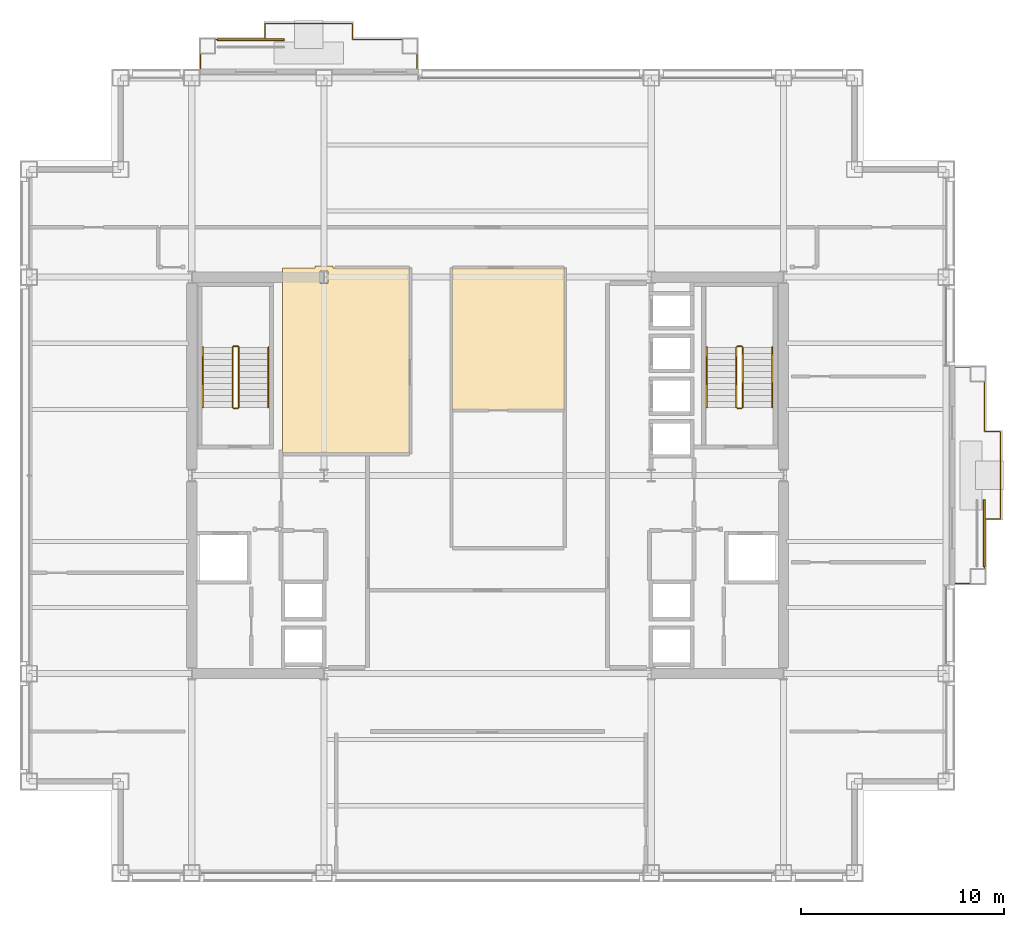
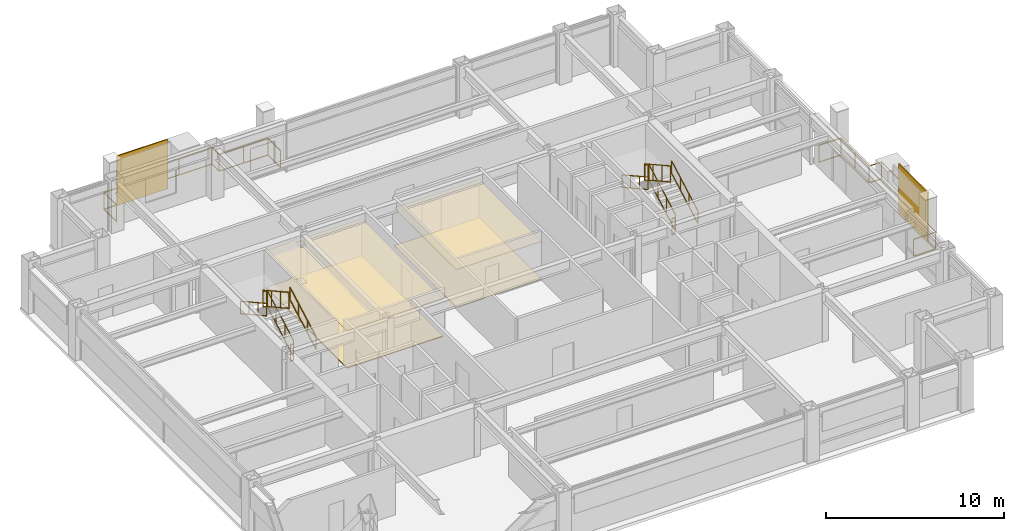
# One storey, part 28 of 29: 14 railings, 4 coverings, 2 shading devices.
"""IFC4 building model written with IfcOpenShell, lengths in metres."""

from ifc_helpers import new_model, si_unit, direction, frame, origin, origin_2d, place, context, subcontext, project, spatial, polyline, rectangle, outline, extrude, material, layer, layer_set, type_object, element, save


model = new_model("IFC4")

# Units and contexts
model_context = context("Model", 3, precision=1e-05, world=origin(), true_north=direction((0.0, 1.0)))
body_context = subcontext(model_context, "Body", "Model", "MODEL_VIEW")
ifc_project = project(units=[si_unit("LENGTHUNIT", "METRE"), si_unit("AREAUNIT", "SQUARE_METRE"), si_unit("VOLUMEUNIT", "CUBIC_METRE"), si_unit("PLANEANGLEUNIT", "RADIAN"), si_unit("MASSUNIT", "GRAM", prefix="KILO")], contexts=[model_context])

# Site, building, storey
site_placement = place(None, origin())
site = spatial("IfcSite", under=ifc_project, at=site_placement, CompositionType="ELEMENT")
building_placement = place(site_placement, origin())
building = spatial("IfcBuilding", under=site, at=building_placement, Name="Brelmoor Portico Tower", CompositionType="ELEMENT")
storey_placement = place(building_placement, frame((0.0, 0.0, 124.199951171875)))
storey = spatial("IfcBuildingStorey", under=building, at=storey_placement, Name="L32", CompositionType="ELEMENT", Elevation=124.199951171875)

# Coverings
ifc_material_1 = material(Name="Powder-Coated Aluminium Acoustic Baffle Ceiling", Category="aluminium")
ifc_layer_1 = layer(ifc_material_1, 0.044921875)
ifc_layer_set_1 = layer_set([ifc_layer_1], Name="Powder-Coated Aluminium Acoustic Baffle Ceiling")
covering_type_1 = type_object("IfcCoveringType", Name="CV-CEIL-BAFFLE-45", PredefinedType="CEILING", material=ifc_layer_set_1)
covering_1_placement = place(storey_placement, frame((0.0, 0.0, 2.550048828125)))
element("IfcCovering", 1, at=covering_1_placement, inside=storey, type_object=covering_type_1, Name="L32 Acoustic Suspended Ceiling 01", PredefinedType="CEILING", context=body_context, shape_type="SweptSolid", body=[
    extrude(outline(polyline([(-10.080078125, 10.2099609375), (-8.5, 10.2099609375), (-8.5, 10.300048828125), (-7.60009765625, 10.300048828125), (-7.60009765625, 10.2099609375), (-3.840087890625, 10.2099609375), (-3.840087890625, 1.090087890625), (-10.080078125, 1.090087890625), (-10.080078125, 10.2099609375)]), holes=[polyline([(-7.85009765625, 9.449951171875), (-7.85009765625, 10.050048828125), (-8.25, 10.050048828125), (-8.25, 9.449951171875), (-7.85009765625, 9.449951171875)])]), origin(), (0.0, 0.0, 1.0), 0.044921875),
])
ifc_material_2 = material(Name="Slatted FSC Oak Acoustic Feature Ceiling", Category="timber")
ifc_layer_2 = layer(ifc_material_2, 0.052001953125)
ifc_layer_set_2 = layer_set([ifc_layer_2], Name="Slatted FSC Oak Acoustic Feature Ceiling")
covering_type_2 = type_object("IfcCoveringType", Name="CV-CEIL-TIMBER-52", PredefinedType="CEILING", material=ifc_layer_set_2)
covering_2_placement = place(storey_placement, frame((0.0, 0.0, 2.550048828125)))
element("IfcCovering", 2, at=covering_2_placement, inside=storey, type_object=covering_type_2, Name="L32 Acoustic Suspended Ceiling 02", PredefinedType="CEILING", context=body_context, shape_type="SweptSolid", body=[
    extrude(outline(polyline([(-1.760009765625, 3.219970703125), (-1.760009765625, 10.2099609375), (3.780029296875, 10.2099609375), (3.780029296875, 3.219970703125), (-1.760009765625, 3.219970703125)])), origin(), (0.0, 0.0, 1.0), 0.052001953125),
])
ifc_material_3 = material(Name="Calcium-Sulphate Raised Access Floor Panel", Category="steel")
ifc_layer_3 = layer(ifc_material_3, 0.06005859375)
ifc_layer_set_3 = layer_set([ifc_layer_3], Name="Calcium-Sulphate Raised Access Floor Panel")
covering_type_3 = type_object("IfcCoveringType", Name="CV-FLR-ACCESS-60", PredefinedType="FLOORING", material=ifc_layer_set_3)
covering_3_placement = place(storey_placement, origin())
element("IfcCovering", 3, at=covering_3_placement, inside=storey, type_object=covering_type_3, Name="L32 Architectural Floor Finish 01", PredefinedType="FLOORING", context=body_context, shape_type="SweptSolid", body=[
    extrude(outline(polyline([(-10.080078125, 10.2099609375), (-8.5, 10.2099609375), (-8.5, 10.300048828125), (-7.60009765625, 10.300048828125), (-7.60009765625, 10.2099609375), (-3.840087890625, 10.2099609375), (-3.840087890625, 1.090087890625), (-10.080078125, 1.090087890625), (-10.080078125, 10.2099609375)]), holes=[polyline([(-7.85009765625, 9.449951171875), (-7.85009765625, 10.050048828125), (-8.25, 10.050048828125), (-8.25, 9.449951171875), (-7.85009765625, 9.449951171875)])]), origin(), (0.0, 0.0, 1.0), 0.06005859375),
])
ifc_material_4 = material(Name="Solution-Dyed Nylon Acoustic Carpet Tile", Category="textile")
ifc_layer_4 = layer(ifc_material_4, 0.013916015625)
ifc_layer_set_4 = layer_set([ifc_layer_4], Name="Solution-Dyed Nylon Acoustic Carpet Tile")
covering_type_4 = type_object("IfcCoveringType", Name="CV-FLR-CARPET-14", PredefinedType="FLOORING", material=ifc_layer_set_4)
covering_4_placement = place(storey_placement, origin())
element("IfcCovering", 4, at=covering_4_placement, inside=storey, type_object=covering_type_4, Name="L32 Architectural Floor Finish 02", PredefinedType="FLOORING", context=body_context, shape_type="SweptSolid", body=[
    extrude(outline(polyline([(-1.760009765625, 3.219970703125), (-1.760009765625, 10.2099609375), (3.780029296875, 10.2099609375), (3.780029296875, 3.219970703125), (-1.760009765625, 3.219970703125)])), origin(), (0.0, 0.0, 1.0), 0.01416015625),
])

# Railings
ifc_material_5 = material(Name="Perforated Pale Champagne Aluminium Fretwork Guard", Category="aluminium")
railing_type_1 = type_object("IfcRailingType", Name="RL-BALUSTRADE-1200", PredefinedType="BALUSTRADE", material=ifc_material_5)
railing_1_placement = place(storey_placement, frame((-14.1201171875, 20.0, 0.0)))
element("IfcRailing", 5, at=railing_1_placement, inside=storey, type_object=railing_type_1, Name="L32 Tree Balcony Fretwork Balustrade N", PredefinedType="BALUSTRADE", context=body_context, shape_type="SweptSolid", body=[
    extrude(rectangle(XDim=0.048095703125, YDim=0.048095703125, at=origin_2d()), frame((0.0, 0.0, 1.17578125), z_axis=(0.0, 1.0, 0.0), x_axis=(-1.0, 0.0, 0.0)), (0.0, 0.0, 1.0), 1.429931640625),
    extrude(rectangle(XDim=0.048095703125, YDim=0.048095703125, at=origin_2d()), frame((0.0, 0.0, 0.02392578125), z_axis=(0.0, 1.0, 0.0), x_axis=(-1.0, 0.0, 0.0)), (0.0, 0.0, 1.0), 1.429931640625),
    extrude(rectangle(XDim=0.048095703125, YDim=0.048095703125, at=origin_2d()), frame((0.0, 1.429931640625, 1.17578125), z_axis=(1.0, 0.0, 0.0), x_axis=(0.0, 1.0, 0.0)), (0.0, 0.0, 1.0), 3.170166015625),
    extrude(rectangle(XDim=0.048095703125, YDim=0.048095703125, at=origin_2d()), frame((0.0, 1.429931640625, 0.02392578125), z_axis=(1.0, 0.0, 0.0), x_axis=(0.0, 1.0, 0.0)), (0.0, 0.0, 1.0), 3.170166015625),
    extrude(rectangle(XDim=0.048095703125, YDim=0.048095703125, at=origin_2d()), frame((3.170166015625, 1.429931640625, 1.17578125), z_axis=(0.0, 1.0, 0.0), x_axis=(-1.0, 0.0, 0.0)), (0.0, 0.0, 1.0), 0.800048828125),
    extrude(rectangle(XDim=0.048095703125, YDim=0.048095703125, at=origin_2d()), frame((3.170166015625, 1.429931640625, 0.02392578125), z_axis=(0.0, 1.0, 0.0), x_axis=(-1.0, 0.0, 0.0)), (0.0, 0.0, 1.0), 0.800048828125),
    extrude(rectangle(XDim=0.048095703125, YDim=0.048095703125, at=origin_2d()), frame((3.170166015625, 2.22998046875, 1.17578125), z_axis=(1.0, 0.0, 0.0), x_axis=(0.0, 1.0, 0.0)), (0.0, 0.0, 1.0), 4.300048828125),
    extrude(rectangle(XDim=0.048095703125, YDim=0.048095703125, at=origin_2d()), frame((3.170166015625, 2.22998046875, 0.02392578125), z_axis=(1.0, 0.0, 0.0), x_axis=(0.0, 1.0, 0.0)), (0.0, 0.0, 1.0), 4.300048828125),
    extrude(rectangle(XDim=0.048095703125, YDim=0.048095703125, at=origin_2d()), frame((7.47021484375, 2.22998046875, 1.17578125), z_axis=(0.0, -1.0, 0.0), x_axis=(1.0, 0.0, 0.0)), (0.0, 0.0, 1.0), 0.800048828125),
    extrude(rectangle(XDim=0.048095703125, YDim=0.048095703125, at=origin_2d()), frame((7.47021484375, 2.22998046875, 0.02392578125), z_axis=(0.0, -1.0, 0.0), x_axis=(1.0, 0.0, 0.0)), (0.0, 0.0, 1.0), 0.800048828125),
    extrude(rectangle(XDim=0.048095703125, YDim=0.048095703125, at=origin_2d()), frame((7.47021484375, 1.429931640625, 1.17578125), z_axis=(1.0, 0.0, 0.0), x_axis=(0.0, 1.0, 0.0)), (0.0, 0.0, 1.0), 3.169921875),
    extrude(rectangle(XDim=0.048095703125, YDim=0.048095703125, at=origin_2d()), frame((7.47021484375, 1.429931640625, 0.02392578125), z_axis=(1.0, 0.0, 0.0), x_axis=(0.0, 1.0, 0.0)), (0.0, 0.0, 1.0), 3.169921875),
    extrude(rectangle(XDim=0.048095703125, YDim=0.048095703125, at=origin_2d()), frame((10.64013671875, 1.429931640625, 1.17578125), z_axis=(0.0, -1.0, 0.0), x_axis=(1.0, 0.0, 0.0)), (0.0, 0.0, 1.0), 1.429931640625),
    extrude(rectangle(XDim=0.048095703125, YDim=0.048095703125, at=origin_2d()), frame((10.64013671875, 1.429931640625, 0.02392578125), z_axis=(0.0, -1.0, 0.0), x_axis=(1.0, 0.0, 0.0)), (0.0, 0.0, 1.0), 1.429931640625),
    extrude(rectangle(XDim=0.0419921875, YDim=0.0419921875, at=origin_2d()), origin(), (0.0, 0.0, 1.0), 1.15185546875),
    extrude(rectangle(XDim=0.0419921875, YDim=0.0419921875, at=origin_2d()), frame((0.0, 1.429931640625, 0.0)), (0.0, 0.0, 1.0), 1.15185546875),
    extrude(rectangle(XDim=0.0419921875, YDim=0.0419921875, at=origin_2d()), frame((1.5849609375, 1.429931640625, 0.0)), (0.0, 0.0, 1.0), 1.15185546875),
    extrude(rectangle(XDim=0.0419921875, YDim=0.0419921875, at=origin_2d()), frame((3.170166015625, 1.429931640625, 0.0)), (0.0, 0.0, 1.0), 1.15185546875),
    extrude(rectangle(XDim=0.0419921875, YDim=0.0419921875, at=origin_2d()), frame((3.170166015625, 2.22998046875, 0.0)), (0.0, 0.0, 1.0), 1.15185546875),
    extrude(rectangle(XDim=0.0419921875, YDim=0.0419921875, at=origin_2d()), frame((5.3203125, 2.22998046875, 0.0)), (0.0, 0.0, 1.0), 1.15185546875),
    extrude(rectangle(XDim=0.0419921875, YDim=0.0419921875, at=origin_2d()), frame((7.47021484375, 2.22998046875, 0.0)), (0.0, 0.0, 1.0), 1.15185546875),
    extrude(rectangle(XDim=0.0419921875, YDim=0.0419921875, at=origin_2d()), frame((7.47021484375, 1.429931640625, 0.0)), (0.0, 0.0, 1.0), 1.15185546875),
    extrude(rectangle(XDim=0.0419921875, YDim=0.0419921875, at=origin_2d()), frame((9.05517578125, 1.429931640625, 0.0)), (0.0, 0.0, 1.0), 1.15185546875),
    extrude(rectangle(XDim=0.0419921875, YDim=0.0419921875, at=origin_2d()), frame((10.64013671875, 1.429931640625, 0.0)), (0.0, 0.0, 1.0), 1.15185546875),
    extrude(rectangle(XDim=0.0419921875, YDim=0.0419921875, at=origin_2d()), frame((10.64013671875, 0.0, 0.0)), (0.0, 0.0, 1.0), 1.15185546875),
])
railing_2_placement = place(storey_placement, frame((23.0, -5.320068359375, 0.0)))
element("IfcRailing", 6, at=railing_2_placement, inside=storey, type_object=railing_type_1, Name="L32 Tree Balcony Fretwork Balustrade E", PredefinedType="BALUSTRADE", context=body_context, shape_type="SweptSolid", body=[
    extrude(rectangle(XDim=0.048095703125, YDim=0.048095703125, at=origin_2d()), frame((0.0, 0.0, 1.17578125), z_axis=(1.0, 0.0, 0.0), x_axis=(0.0, 1.0, 0.0)), (0.0, 0.0, 1.0), 1.429931640625),
    extrude(rectangle(XDim=0.048095703125, YDim=0.048095703125, at=origin_2d()), frame((0.0, 0.0, 0.02392578125), z_axis=(1.0, 0.0, 0.0), x_axis=(0.0, 1.0, 0.0)), (0.0, 0.0, 1.0), 1.429931640625),
    extrude(rectangle(XDim=0.048095703125, YDim=0.048095703125, at=origin_2d()), frame((1.429931640625, 0.0, 1.17578125), z_axis=(0.0, 1.0, 0.0), x_axis=(-1.0, 0.0, 0.0)), (0.0, 0.0, 1.0), 3.170166015625),
    extrude(rectangle(XDim=0.048095703125, YDim=0.048095703125, at=origin_2d()), frame((1.429931640625, 0.0, 0.02392578125), z_axis=(0.0, 1.0, 0.0), x_axis=(-1.0, 0.0, 0.0)), (0.0, 0.0, 1.0), 3.170166015625),
    extrude(rectangle(XDim=0.048095703125, YDim=0.048095703125, at=origin_2d()), frame((1.429931640625, 3.170166015625, 1.17578125), z_axis=(1.0, 0.0, 0.0), x_axis=(0.0, 1.0, 0.0)), (0.0, 0.0, 1.0), 0.800048828125),
    extrude(rectangle(XDim=0.048095703125, YDim=0.048095703125, at=origin_2d()), frame((1.429931640625, 3.170166015625, 0.02392578125), z_axis=(1.0, 0.0, 0.0), x_axis=(0.0, 1.0, 0.0)), (0.0, 0.0, 1.0), 0.800048828125),
    extrude(rectangle(XDim=0.048095703125, YDim=0.048095703125, at=origin_2d()), frame((2.22998046875, 3.170166015625, 1.17578125), z_axis=(0.0, 1.0, 0.0), x_axis=(-1.0, 0.0, 0.0)), (0.0, 0.0, 1.0), 4.2998046875),
    extrude(rectangle(XDim=0.048095703125, YDim=0.048095703125, at=origin_2d()), frame((2.22998046875, 3.170166015625, 0.02392578125), z_axis=(0.0, 1.0, 0.0), x_axis=(-1.0, 0.0, 0.0)), (0.0, 0.0, 1.0), 4.2998046875),
    extrude(rectangle(XDim=0.048095703125, YDim=0.048095703125, at=origin_2d()), frame((2.22998046875, 7.469970703125, 1.17578125), z_axis=(-1.0, 0.0, 0.0), x_axis=(0.0, -1.0, 0.0)), (0.0, 0.0, 1.0), 0.800048828125),
    extrude(rectangle(XDim=0.048095703125, YDim=0.048095703125, at=origin_2d()), frame((2.22998046875, 7.469970703125, 0.02392578125), z_axis=(-1.0, 0.0, 0.0), x_axis=(0.0, -1.0, 0.0)), (0.0, 0.0, 1.0), 0.800048828125),
    extrude(rectangle(XDim=0.048095703125, YDim=0.048095703125, at=origin_2d()), frame((1.429931640625, 7.469970703125, 1.17578125), z_axis=(0.0, 1.0, 0.0), x_axis=(-1.0, 0.0, 0.0)), (0.0, 0.0, 1.0), 3.170166015625),
    extrude(rectangle(XDim=0.048095703125, YDim=0.048095703125, at=origin_2d()), frame((1.429931640625, 7.469970703125, 0.02392578125), z_axis=(0.0, 1.0, 0.0), x_axis=(-1.0, 0.0, 0.0)), (0.0, 0.0, 1.0), 3.170166015625),
    extrude(rectangle(XDim=0.048095703125, YDim=0.048095703125, at=origin_2d()), frame((1.429931640625, 10.64013671875, 1.17578125), z_axis=(-1.0, 0.0, 0.0), x_axis=(0.0, -1.0, 0.0)), (0.0, 0.0, 1.0), 1.429931640625),
    extrude(rectangle(XDim=0.048095703125, YDim=0.048095703125, at=origin_2d()), frame((1.429931640625, 10.64013671875, 0.02392578125), z_axis=(-1.0, 0.0, 0.0), x_axis=(0.0, -1.0, 0.0)), (0.0, 0.0, 1.0), 1.429931640625),
    extrude(rectangle(XDim=0.0419921875, YDim=0.0419921875, at=origin_2d()), origin(), (0.0, 0.0, 1.0), 1.15185546875),
    extrude(rectangle(XDim=0.0419921875, YDim=0.0419921875, at=origin_2d()), frame((1.429931640625, 0.0, 0.0)), (0.0, 0.0, 1.0), 1.15185546875),
    extrude(rectangle(XDim=0.0419921875, YDim=0.0419921875, at=origin_2d()), frame((1.429931640625, 1.5849609375, 0.0)), (0.0, 0.0, 1.0), 1.15185546875),
    extrude(rectangle(XDim=0.0419921875, YDim=0.0419921875, at=origin_2d()), frame((1.429931640625, 3.170166015625, 0.0)), (0.0, 0.0, 1.0), 1.15185546875),
    extrude(rectangle(XDim=0.0419921875, YDim=0.0419921875, at=origin_2d()), frame((2.22998046875, 3.170166015625, 0.0)), (0.0, 0.0, 1.0), 1.15185546875),
    extrude(rectangle(XDim=0.0419921875, YDim=0.0419921875, at=origin_2d()), frame((2.22998046875, 5.320068359375, 0.0)), (0.0, 0.0, 1.0), 1.15185546875),
    extrude(rectangle(XDim=0.0419921875, YDim=0.0419921875, at=origin_2d()), frame((2.22998046875, 7.469970703125, 0.0)), (0.0, 0.0, 1.0), 1.15185546875),
    extrude(rectangle(XDim=0.0419921875, YDim=0.0419921875, at=origin_2d()), frame((1.429931640625, 7.469970703125, 0.0)), (0.0, 0.0, 1.0), 1.15185546875),
    extrude(rectangle(XDim=0.0419921875, YDim=0.0419921875, at=origin_2d()), frame((1.429931640625, 9.05517578125, 0.0)), (0.0, 0.0, 1.0), 1.15185546875),
    extrude(rectangle(XDim=0.0419921875, YDim=0.0419921875, at=origin_2d()), frame((1.429931640625, 10.64013671875, 0.0)), (0.0, 0.0, 1.0), 1.15185546875),
    extrude(rectangle(XDim=0.0419921875, YDim=0.0419921875, at=origin_2d()), frame((0.0, 10.64013671875, 0.0)), (0.0, 0.0, 1.0), 1.15185546875),
])
ifc_material_6 = material(Name="Painted Tubular Steel Q235B", Category="steel")
railing_type_2 = type_object("IfcRailingType", Name="RL-STAIR-GUARD", PredefinedType="GUARDRAIL", material=ifc_material_6)
railing_3_placement = place(storey_placement, frame((-12.239990234375, 3.35009765625, 0.16357421875)))
element("IfcRailing", 7, at=railing_3_placement, inside=storey, type_object=railing_type_2, Name="L32 ST-W stair guard 1", PredefinedType="GUARDRAIL", context=body_context, shape_type="SweptSolid", body=[
    extrude(rectangle(XDim=0.048095703125, YDim=0.048095703125, at=origin_2d()), frame((0.0, 0.0, 1.1259765625), z_axis=(0.0, 0.874457516365, 0.485102104791), x_axis=(-1.0, 0.0, 0.0)), (0.0, 0.0, 1.0), 3.37353515625),
    extrude(rectangle(XDim=0.048095703125, YDim=0.048095703125, at=origin_2d()), frame((0.0, 0.0, 0.02392578125), z_axis=(0.0, 0.874457516365, 0.485102104791), x_axis=(-1.0, 0.0, 0.0)), (0.0, 0.0, 1.0), 3.37353515625),
    extrude(rectangle(XDim=0.0419921875, YDim=0.0419921875, at=origin_2d()), origin(), (0.0, 0.0, 1.0), 1.101806640625),
    extrude(rectangle(XDim=0.0419921875, YDim=0.0419921875, at=origin_2d()), frame((0.0, 0.9833984375, 0.54541015625)), (0.0, 0.0, 1.0), 1.101806640625),
    extrude(rectangle(XDim=0.0419921875, YDim=0.0419921875, at=origin_2d()), frame((0.0, 1.966552734375, 1.091064453125)), (0.0, 0.0, 1.0), 1.101806640625),
    extrude(rectangle(XDim=0.0419921875, YDim=0.0419921875, at=origin_2d()), frame((0.0, 2.949951171875, 1.636474609375)), (0.0, 0.0, 1.0), 1.101806640625),
])
railing_4_placement = place(storey_placement, frame((-12.2900390625, 6.35009765625, 1.800048828125)))
element("IfcRailing", 8, at=railing_4_placement, inside=storey, type_object=railing_type_2, Name="L32 ST-W stair guard 2", PredefinedType="GUARDRAIL", context=body_context, shape_type="SweptSolid", body=[
    extrude(rectangle(XDim=0.048095703125, YDim=0.048095703125, at=origin_2d()), frame((0.0, 0.0, 1.1259765625), z_axis=(-1.0, 0.0, 0.0), x_axis=(0.0, -1.0, 0.0)), (0.0, 0.0, 1.0), 0.199951171875),
    extrude(rectangle(XDim=0.048095703125, YDim=0.048095703125, at=origin_2d()), frame((0.0, 0.0, 0.02392578125), z_axis=(-1.0, 0.0, 0.0), x_axis=(0.0, -1.0, 0.0)), (0.0, 0.0, 1.0), 0.199951171875),
    extrude(rectangle(XDim=0.0419921875, YDim=0.0419921875, at=origin_2d()), origin(), (0.0, 0.0, 1.0), 1.101806640625),
    extrude(rectangle(XDim=0.0419921875, YDim=0.0419921875, at=origin_2d()), frame((-0.199951171875, 0.0, 0.0)), (0.0, 0.0, 1.0), 1.101806640625),
])
railing_5_placement = place(storey_placement, frame((-12.5400390625, 6.300048828125, 1.963623046875)))
element("IfcRailing", 9, at=railing_5_placement, inside=storey, type_object=railing_type_2, Name="L32 ST-W stair guard 3", PredefinedType="GUARDRAIL", context=body_context, shape_type="SweptSolid", body=[
    extrude(rectangle(XDim=0.048095703125, YDim=0.048095703125, at=origin_2d()), frame((0.0, 0.0, 1.1259765625), z_axis=(0.0, -0.874457516365, 0.485102104791), x_axis=(1.0, 0.0, 0.0)), (0.0, 0.0, 1.0), 3.37353515625),
    extrude(rectangle(XDim=0.048095703125, YDim=0.048095703125, at=origin_2d()), frame((0.0, 0.0, 0.02392578125), z_axis=(0.0, -0.874457516365, 0.485102104791), x_axis=(1.0, 0.0, 0.0)), (0.0, 0.0, 1.0), 3.37353515625),
    extrude(rectangle(XDim=0.0419921875, YDim=0.0419921875, at=origin_2d()), origin(), (0.0, 0.0, 1.0), 1.101806640625),
    extrude(rectangle(XDim=0.0419921875, YDim=0.0419921875, at=origin_2d()), frame((0.0, -0.9833984375, 0.54541015625)), (0.0, 0.0, 1.0), 1.101806640625),
    extrude(rectangle(XDim=0.0419921875, YDim=0.0419921875, at=origin_2d()), frame((0.0, -1.966552734375, 1.091064453125)), (0.0, 0.0, 1.0), 1.101806640625),
    extrude(rectangle(XDim=0.0419921875, YDim=0.0419921875, at=origin_2d()), frame((0.0, -2.949951171875, 1.636474609375)), (0.0, 0.0, 1.0), 1.101806640625),
])
railing_6_placement = place(storey_placement, frame((-12.2900390625, 3.300048828125, 0.0)))
element("IfcRailing", 10, at=railing_6_placement, inside=storey, type_object=railing_type_2, Name="L32 ST-W stair guard 4", PredefinedType="GUARDRAIL", context=body_context, shape_type="SweptSolid", body=[
    extrude(rectangle(XDim=0.048095703125, YDim=0.048095703125, at=origin_2d()), frame((0.0, 0.0, 1.1259765625), z_axis=(-1.0, 0.0, 0.0), x_axis=(0.0, -1.0, 0.0)), (0.0, 0.0, 1.0), 0.199951171875),
    extrude(rectangle(XDim=0.048095703125, YDim=0.048095703125, at=origin_2d()), frame((0.0, 0.0, 0.02392578125), z_axis=(-1.0, 0.0, 0.0), x_axis=(0.0, -1.0, 0.0)), (0.0, 0.0, 1.0), 0.199951171875),
    extrude(rectangle(XDim=0.0419921875, YDim=0.0419921875, at=origin_2d()), origin(), (0.0, 0.0, 1.0), 1.101806640625),
    extrude(rectangle(XDim=0.0419921875, YDim=0.0419921875, at=origin_2d()), frame((-0.199951171875, 0.0, 0.0)), (0.0, 0.0, 1.0), 1.101806640625),
])
railing_7_placement = place(storey_placement, frame((12.5400390625, 3.35009765625, 0.16357421875)))
element("IfcRailing", 11, at=railing_7_placement, inside=storey, type_object=railing_type_2, Name="L32 ST-E stair guard 1", PredefinedType="GUARDRAIL", context=body_context, shape_type="SweptSolid", body=[
    extrude(rectangle(XDim=0.048095703125, YDim=0.048095703125, at=origin_2d()), frame((0.0, 0.0, 1.1259765625), z_axis=(0.0, 0.874457516365, 0.485102104791), x_axis=(-1.0, 0.0, 0.0)), (0.0, 0.0, 1.0), 3.37353515625),
    extrude(rectangle(XDim=0.048095703125, YDim=0.048095703125, at=origin_2d()), frame((0.0, 0.0, 0.02392578125), z_axis=(0.0, 0.874457516365, 0.485102104791), x_axis=(-1.0, 0.0, 0.0)), (0.0, 0.0, 1.0), 3.37353515625),
    extrude(rectangle(XDim=0.0419921875, YDim=0.0419921875, at=origin_2d()), origin(), (0.0, 0.0, 1.0), 1.101806640625),
    extrude(rectangle(XDim=0.0419921875, YDim=0.0419921875, at=origin_2d()), frame((0.0, 0.9833984375, 0.54541015625)), (0.0, 0.0, 1.0), 1.101806640625),
    extrude(rectangle(XDim=0.0419921875, YDim=0.0419921875, at=origin_2d()), frame((0.0, 1.966552734375, 1.091064453125)), (0.0, 0.0, 1.0), 1.101806640625),
    extrude(rectangle(XDim=0.0419921875, YDim=0.0419921875, at=origin_2d()), frame((0.0, 2.949951171875, 1.636474609375)), (0.0, 0.0, 1.0), 1.101806640625),
])
railing_8_placement = place(storey_placement, frame((12.489990234375, 6.35009765625, 1.800048828125)))
element("IfcRailing", 12, at=railing_8_placement, inside=storey, type_object=railing_type_2, Name="L32 ST-E stair guard 2", PredefinedType="GUARDRAIL", context=body_context, shape_type="SweptSolid", body=[
    extrude(rectangle(XDim=0.048095703125, YDim=0.048095703125, at=origin_2d()), frame((0.0, 0.0, 1.1259765625), z_axis=(-1.0, 0.0, 0.0), x_axis=(0.0, -1.0, 0.0)), (0.0, 0.0, 1.0), 0.199951171875),
    extrude(rectangle(XDim=0.048095703125, YDim=0.048095703125, at=origin_2d()), frame((0.0, 0.0, 0.02392578125), z_axis=(-1.0, 0.0, 0.0), x_axis=(0.0, -1.0, 0.0)), (0.0, 0.0, 1.0), 0.199951171875),
    extrude(rectangle(XDim=0.0419921875, YDim=0.0419921875, at=origin_2d()), origin(), (0.0, 0.0, 1.0), 1.101806640625),
    extrude(rectangle(XDim=0.0419921875, YDim=0.0419921875, at=origin_2d()), frame((-0.199951171875, 0.0, 0.0)), (0.0, 0.0, 1.0), 1.101806640625),
])
railing_9_placement = place(storey_placement, frame((12.239990234375, 6.300048828125, 1.963623046875)))
element("IfcRailing", 13, at=railing_9_placement, inside=storey, type_object=railing_type_2, Name="L32 ST-E stair guard 3", PredefinedType="GUARDRAIL", context=body_context, shape_type="SweptSolid", body=[
    extrude(rectangle(XDim=0.048095703125, YDim=0.048095703125, at=origin_2d()), frame((0.0, 0.0, 1.1259765625), z_axis=(0.0, -0.874457516365, 0.485102104791), x_axis=(1.0, 0.0, 0.0)), (0.0, 0.0, 1.0), 3.37353515625),
    extrude(rectangle(XDim=0.048095703125, YDim=0.048095703125, at=origin_2d()), frame((0.0, 0.0, 0.02392578125), z_axis=(0.0, -0.874457516365, 0.485102104791), x_axis=(1.0, 0.0, 0.0)), (0.0, 0.0, 1.0), 3.37353515625),
    extrude(rectangle(XDim=0.0419921875, YDim=0.0419921875, at=origin_2d()), origin(), (0.0, 0.0, 1.0), 1.101806640625),
    extrude(rectangle(XDim=0.0419921875, YDim=0.0419921875, at=origin_2d()), frame((0.0, -0.9833984375, 0.54541015625)), (0.0, 0.0, 1.0), 1.101806640625),
    extrude(rectangle(XDim=0.0419921875, YDim=0.0419921875, at=origin_2d()), frame((0.0, -1.966552734375, 1.091064453125)), (0.0, 0.0, 1.0), 1.101806640625),
    extrude(rectangle(XDim=0.0419921875, YDim=0.0419921875, at=origin_2d()), frame((0.0, -2.949951171875, 1.636474609375)), (0.0, 0.0, 1.0), 1.101806640625),
])
railing_10_placement = place(storey_placement, frame((12.489990234375, 3.300048828125, 0.0)))
element("IfcRailing", 14, at=railing_10_placement, inside=storey, type_object=railing_type_2, Name="L32 ST-E stair guard 4", PredefinedType="GUARDRAIL", context=body_context, shape_type="SweptSolid", body=[
    extrude(rectangle(XDim=0.048095703125, YDim=0.048095703125, at=origin_2d()), frame((0.0, 0.0, 1.1259765625), z_axis=(-1.0, 0.0, 0.0), x_axis=(0.0, -1.0, 0.0)), (0.0, 0.0, 1.0), 0.199951171875),
    extrude(rectangle(XDim=0.048095703125, YDim=0.048095703125, at=origin_2d()), frame((0.0, 0.0, 0.02392578125), z_axis=(-1.0, 0.0, 0.0), x_axis=(0.0, -1.0, 0.0)), (0.0, 0.0, 1.0), 0.199951171875),
    extrude(rectangle(XDim=0.0419921875, YDim=0.0419921875, at=origin_2d()), origin(), (0.0, 0.0, 1.0), 1.101806640625),
    extrude(rectangle(XDim=0.0419921875, YDim=0.0419921875, at=origin_2d()), frame((-0.199951171875, 0.0, 0.0)), (0.0, 0.0, 1.0), 1.101806640625),
])
ifc_material_7 = material(Name="Brushed Stainless Steel 304", Category="steel")
railing_type_3 = type_object("IfcRailingType", Name="RL-STAIR-HANDRAIL", PredefinedType="HANDRAIL", material=ifc_material_7)
railing_11_placement = place(storey_placement, frame((-10.780029296875, 3.35009765625, 0.16357421875)))
element("IfcRailing", 15, at=railing_11_placement, inside=storey, type_object=railing_type_3, Name="L32 ST-W stair handrail 1", PredefinedType="HANDRAIL", context=body_context, shape_type="SweptSolid", body=[
    extrude(rectangle(XDim=0.048095703125, YDim=0.048095703125, at=origin_2d()), frame((0.0, 0.0, 0.8759765625), z_axis=(0.0, 0.874457516365, 0.485102104791), x_axis=(-1.0, 0.0, 0.0)), (0.0, 0.0, 1.0), 3.37353515625),
    extrude(rectangle(XDim=0.048095703125, YDim=0.048095703125, at=origin_2d()), frame((0.0, 0.0, 0.02392578125), z_axis=(0.0, 0.874457516365, 0.485102104791), x_axis=(-1.0, 0.0, 0.0)), (0.0, 0.0, 1.0), 3.37353515625),
    extrude(rectangle(XDim=0.0419921875, YDim=0.0419921875, at=origin_2d()), origin(), (0.0, 0.0, 1.0), 0.851806640625),
    extrude(rectangle(XDim=0.0419921875, YDim=0.0419921875, at=origin_2d()), frame((0.0, 0.9833984375, 0.54541015625)), (0.0, 0.0, 1.0), 0.851806640625),
    extrude(rectangle(XDim=0.0419921875, YDim=0.0419921875, at=origin_2d()), frame((0.0, 1.966552734375, 1.091064453125)), (0.0, 0.0, 1.0), 0.851806640625),
    extrude(rectangle(XDim=0.0419921875, YDim=0.0419921875, at=origin_2d()), frame((0.0, 2.949951171875, 1.636474609375)), (0.0, 0.0, 1.0), 0.851806640625),
])
railing_12_placement = place(storey_placement, frame((-14.0, 6.300048828125, 1.963623046875)))
element("IfcRailing", 16, at=railing_12_placement, inside=storey, type_object=railing_type_3, Name="L32 ST-W stair handrail 2", PredefinedType="HANDRAIL", context=body_context, shape_type="SweptSolid", body=[
    extrude(rectangle(XDim=0.048095703125, YDim=0.048095703125, at=origin_2d()), frame((0.0, 0.0, 0.8759765625), z_axis=(0.0, -0.874457516365, 0.485102104791), x_axis=(1.0, 0.0, 0.0)), (0.0, 0.0, 1.0), 3.37353515625),
    extrude(rectangle(XDim=0.048095703125, YDim=0.048095703125, at=origin_2d()), frame((0.0, 0.0, 0.02392578125), z_axis=(0.0, -0.874457516365, 0.485102104791), x_axis=(1.0, 0.0, 0.0)), (0.0, 0.0, 1.0), 3.37353515625),
    extrude(rectangle(XDim=0.0419921875, YDim=0.0419921875, at=origin_2d()), origin(), (0.0, 0.0, 1.0), 0.851806640625),
    extrude(rectangle(XDim=0.0419921875, YDim=0.0419921875, at=origin_2d()), frame((0.0, -0.9833984375, 0.54541015625)), (0.0, 0.0, 1.0), 0.851806640625),
    extrude(rectangle(XDim=0.0419921875, YDim=0.0419921875, at=origin_2d()), frame((0.0, -1.966552734375, 1.091064453125)), (0.0, 0.0, 1.0), 0.851806640625),
    extrude(rectangle(XDim=0.0419921875, YDim=0.0419921875, at=origin_2d()), frame((0.0, -2.949951171875, 1.636474609375)), (0.0, 0.0, 1.0), 0.851806640625),
])
railing_13_placement = place(storey_placement, frame((14.0, 3.35009765625, 0.16357421875)))
element("IfcRailing", 17, at=railing_13_placement, inside=storey, type_object=railing_type_3, Name="L32 ST-E stair handrail 1", PredefinedType="HANDRAIL", context=body_context, shape_type="SweptSolid", body=[
    extrude(rectangle(XDim=0.048095703125, YDim=0.048095703125, at=origin_2d()), frame((0.0, 0.0, 0.8759765625), z_axis=(0.0, 0.874457516365, 0.485102104791), x_axis=(-1.0, 0.0, 0.0)), (0.0, 0.0, 1.0), 3.37353515625),
    extrude(rectangle(XDim=0.048095703125, YDim=0.048095703125, at=origin_2d()), frame((0.0, 0.0, 0.02392578125), z_axis=(0.0, 0.874457516365, 0.485102104791), x_axis=(-1.0, 0.0, 0.0)), (0.0, 0.0, 1.0), 3.37353515625),
    extrude(rectangle(XDim=0.0419921875, YDim=0.0419921875, at=origin_2d()), origin(), (0.0, 0.0, 1.0), 0.851806640625),
    extrude(rectangle(XDim=0.0419921875, YDim=0.0419921875, at=origin_2d()), frame((0.0, 0.9833984375, 0.54541015625)), (0.0, 0.0, 1.0), 0.851806640625),
    extrude(rectangle(XDim=0.0419921875, YDim=0.0419921875, at=origin_2d()), frame((0.0, 1.966552734375, 1.091064453125)), (0.0, 0.0, 1.0), 0.851806640625),
    extrude(rectangle(XDim=0.0419921875, YDim=0.0419921875, at=origin_2d()), frame((0.0, 2.949951171875, 1.636474609375)), (0.0, 0.0, 1.0), 0.851806640625),
])
railing_14_placement = place(storey_placement, frame((10.780029296875, 6.300048828125, 1.963623046875)))
element("IfcRailing", 18, at=railing_14_placement, inside=storey, type_object=railing_type_3, Name="L32 ST-E stair handrail 2", PredefinedType="HANDRAIL", context=body_context, shape_type="SweptSolid", body=[
    extrude(rectangle(XDim=0.048095703125, YDim=0.048095703125, at=origin_2d()), frame((0.0, 0.0, 0.8759765625), z_axis=(0.0, -0.874457516365, 0.485102104791), x_axis=(1.0, 0.0, 0.0)), (0.0, 0.0, 1.0), 3.37353515625),
    extrude(rectangle(XDim=0.048095703125, YDim=0.048095703125, at=origin_2d()), frame((0.0, 0.0, 0.02392578125), z_axis=(0.0, -0.874457516365, 0.485102104791), x_axis=(1.0, 0.0, 0.0)), (0.0, 0.0, 1.0), 3.37353515625),
    extrude(rectangle(XDim=0.0419921875, YDim=0.0419921875, at=origin_2d()), origin(), (0.0, 0.0, 1.0), 0.851806640625),
    extrude(rectangle(XDim=0.0419921875, YDim=0.0419921875, at=origin_2d()), frame((0.0, -0.9833984375, 0.54541015625)), (0.0, 0.0, 1.0), 0.851806640625),
    extrude(rectangle(XDim=0.0419921875, YDim=0.0419921875, at=origin_2d()), frame((0.0, -1.966552734375, 1.091064453125)), (0.0, 0.0, 1.0), 0.851806640625),
    extrude(rectangle(XDim=0.0419921875, YDim=0.0419921875, at=origin_2d()), frame((0.0, -2.949951171875, 1.636474609375)), (0.0, 0.0, 1.0), 0.851806640625),
])

# Shading devices
ifc_material_8 = material(Name="Powder-Coated Aluminium Shuttered Jalousie", Category="aluminium")
ifc_layer_5 = layer(ifc_material_8, 0.080078125)
ifc_layer_set_5 = layer_set([ifc_layer_5], Name="Powder-Coated Aluminium Shuttered Jalousie")
shading_device_type = type_object("IfcShadingDeviceType", Name="SD-JALOUSIE-LOGGIA", PredefinedType="JALOUSIE", material=ifc_layer_set_5)
for number, where, z_axis, x_axis, name in (
    (19, (-11.64990234375, 21.429931640625, 0.0), (0.0, 0.0, 1.0), (1.0, 0.0, 0.0), "L32 Loggia Shuttered Jalousie N"),
    (20, (24.429931640625, -2.85009765625, 0.0), (0.0, 0.0, 1.0), (0.0, 1.0, 0.0), "L32 Loggia Shuttered Jalousie E"),
):
    element("IfcShadingDevice", number, at=place(storey_placement, frame(where, z_axis=z_axis, x_axis=x_axis)), inside=storey, type_object=shading_device_type, Name=name, PredefinedType="JALOUSIE", context=body_context, shape_type="SweptSolid", body=[
        extrude(rectangle(XDim=3.300048828125, YDim=0.080078125, at=origin_2d()), origin(), (0.0, 0.0, 1.0), 3.39990234375),
    ])

save(model, "model.ifc")
